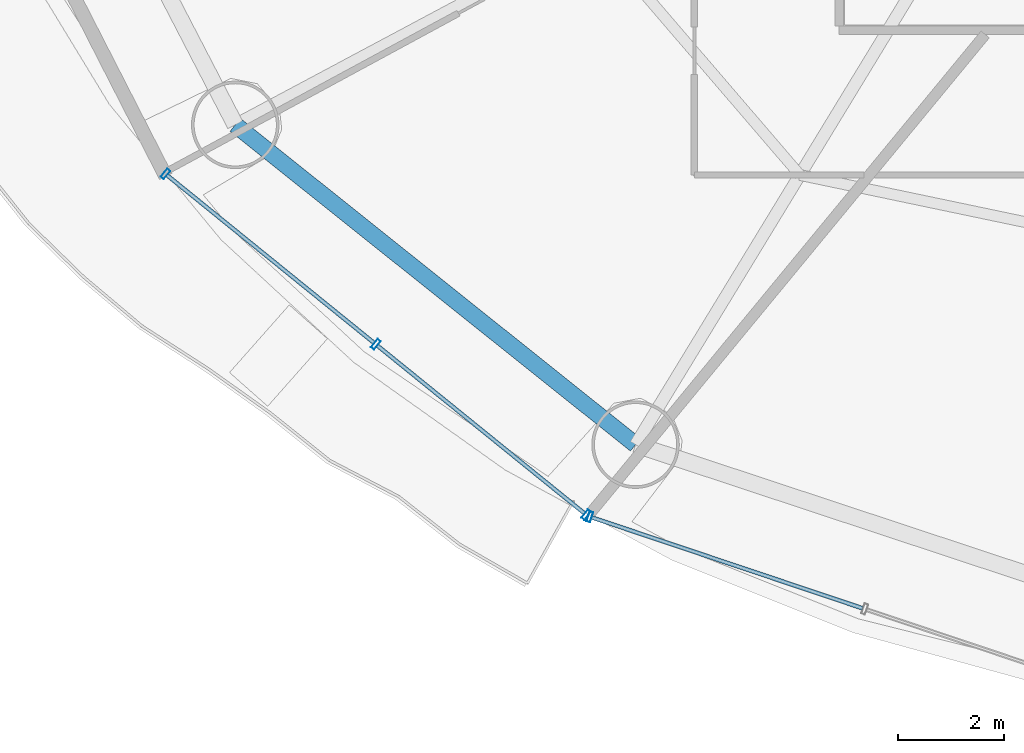
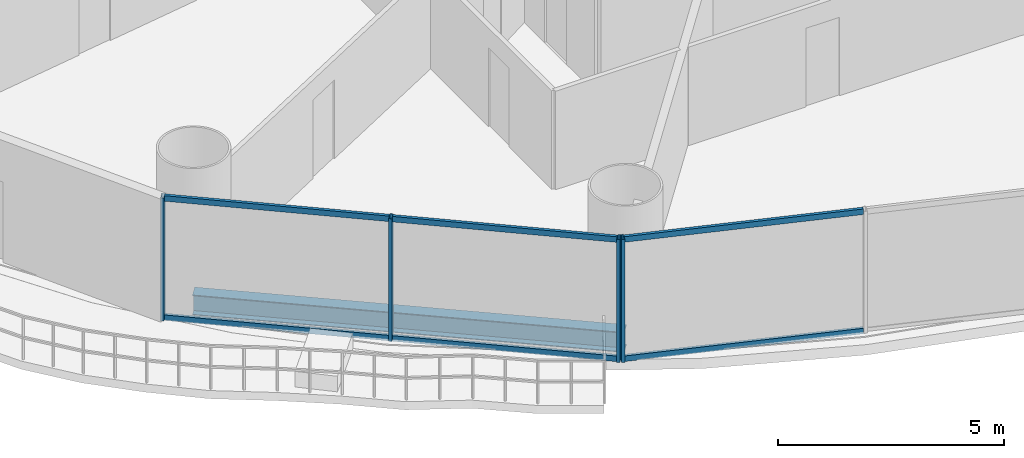
# One storey, part 2 of 28: 10 members, 1 beam, 2 elements without a shape of their own.
"""IFC4 building model written with IfcOpenShell, lengths in metres."""

from ifc_helpers import new_model, si_unit, direction, frame, origin, origin_2d, place, context, subcontext, project, spatial, hollow_rectangle, i_section, extrude, source, transform, mapped, material, material_profile, profile_set, type_object, element, aggregate, save


model = new_model("IFC4")

# Units and contexts
model_context = context("Model", 3, precision=1e-05, world=origin(), true_north=direction((-0.2419218956, 0.970295726276)))
body_context = subcontext(model_context, "Body", "Model", "MODEL_VIEW")
ifc_project = project(units=[si_unit("LENGTHUNIT", "METRE"), si_unit("AREAUNIT", "SQUARE_METRE"), si_unit("VOLUMEUNIT", "CUBIC_METRE"), si_unit("PLANEANGLEUNIT", "RADIAN"), si_unit("MASSUNIT", "GRAM", prefix="KILO")], contexts=[model_context])

# Site, building, storey
site_placement = place(None, origin())
site = spatial("IfcSite", under=ifc_project, at=site_placement, CompositionType="ELEMENT")
building_placement = place(site_placement, origin())
building = spatial("IfcBuilding", under=site, at=building_placement, Name="Cobrevalo Terracotta Tower", CompositionType="ELEMENT")
storey_placement = place(building_placement, frame((0.0, 0.0, 38.39990234375)))
storey = spatial("IfcBuildingStorey", under=building, at=storey_placement, Name="L09", CompositionType="ELEMENT", Elevation=38.39990234375)

# Beam
ifc_material_1 = material(Name="Steel S355", Category="steel")
ifc_material_profile_1 = material_profile(ifc_material_1, i_section(OverallWidth=0.31201171875, OverallDepth=0.54296875, WebThickness=0.0126953125, FlangeThickness=0.020263671875, at=origin_2d()), Name="W 530x150")
ifc_profile_set_1 = profile_set([ifc_material_profile_1], Name="Steel S355")
beam_type = type_object("IfcBeamType", Name="Structural Spandrel W 530x150 (Steel S355)", PredefinedType="SPANDREL", material=ifc_profile_set_1)
beam_placement = place(storey_placement, frame((15.25927734375, 14.660888671875, -0.551513671875), z_axis=(0.781280479891, -0.62418011162, 0.0), x_axis=(0.62418011162, 0.781280479891, 0.0)))
element("IfcBeam", 1, at=beam_placement, inside=storey, type_object=beam_type, Name="L09 perimeter ring spandrel 10", PredefinedType="SPANDREL", context=body_context, shape_type="SweptSolid", body=[
    extrude(i_section(OverallWidth=0.31201171875, OverallDepth=0.54296875, WebThickness=0.0126953125, FlangeThickness=0.020263671875, at=origin_2d()), origin(), (0.0, 0.0, 1.0), 9.658447265625),
])

# Curtain wall, members
ifc_material_2 = material(Name="Anodized aluminium", Category="aluminium")
curtain_wall_type = type_object("IfcCurtainWallType", Name="Lower-tower unitised acoustic low-E curtain wall CW-U1", PredefinedType="NOTDEFINED", material=ifc_material_2)
curtain_wall_1_placement = place(storey_placement, origin())
curtain_wall_1 = element("IfcCurtainWall", 2, at=curtain_wall_1_placement, inside=storey, type_object=curtain_wall_type, Name="L09 curtain wall CW-L09-S10", PredefinedType="NOTDEFINED")
ifc_material_profile_2 = material_profile(ifc_material_2, hollow_rectangle(XDim=0.074951171875, YDim=0.199951171875, WallThickness=0.0048828125, at=origin_2d()), Name="CWM 75x200")
ifc_profile_set_2 = profile_set([ifc_material_profile_2], Name="Anodized aluminium")
member_type_1 = type_object("IfcMemberType", Name="Lower/mid tower unitised mullion 75x200", PredefinedType="MULLION", material=ifc_profile_set_2)
shared_shape_1 = source(origin(), body_context, "Body", "SweptSolid", [
    extrude(hollow_rectangle(XDim=0.074951171875, YDim=0.199951171875, WallThickness=0.0048828125, at=origin_2d()), origin(), (0.0, 0.0, 1.0), 3.320068359375),
])
member_1_placement = place(storey_placement, frame((13.943359375, 13.735595703125, 0.0), z_axis=(0.0, 0.0, 1.0), x_axis=(0.777003153187, -0.629496703675, 0.0)))
member_1 = element("IfcMember", 3, at=member_1_placement, type_object=member_type_1, Name="CW-L09-S10 vertical mullion 01", PredefinedType="MULLION", context=body_context, shape_type="MappedRepresentation", body=[
    mapped(shared_shape_1, transform((0.0, 0.0, 0.0), scale=1.0)),
])
member_2_placement = place(storey_placement, frame((17.90869140625, 10.523193359375, 0.0), z_axis=(0.0, 0.0, 1.0), x_axis=(0.777003153187, -0.629496703675, 0.0)))
member_2 = element("IfcMember", 4, at=member_2_placement, type_object=member_type_1, Name="CW-L09-S10 vertical mullion 02", PredefinedType="MULLION", context=body_context, shape_type="MappedRepresentation", body=[
    mapped(shared_shape_1, transform((0.0, 0.0, 0.0), scale=1.0)),
])
member_3_placement = place(storey_placement, frame((21.8740234375, 7.310546875, 0.0), z_axis=(0.0, 0.0, 1.0), x_axis=(0.777003153187, -0.629496703675, 0.0)))
member_3 = element("IfcMember", 5, at=member_3_placement, type_object=member_type_1, Name="CW-L09-S10 vertical mullion 03", PredefinedType="MULLION", context=body_context, shape_type="MappedRepresentation", body=[
    mapped(shared_shape_1, transform((0.0, 0.0, 0.0), scale=1.0)),
])

# Curtain wall, member
curtain_wall_2_placement = place(storey_placement, origin())
curtain_wall_2 = element("IfcCurtainWall", 6, at=curtain_wall_2_placement, inside=storey, type_object=curtain_wall_type, Name="L09 curtain wall CW-L09-S11", PredefinedType="NOTDEFINED")
member_4_placement = place(storey_placement, frame((21.943115234375, 7.272705078125, 0.0), z_axis=(0.0, 0.0, 1.0), x_axis=(0.948046393597, -0.318132103987, 0.0)))
member_4 = element("IfcMember", 7, at=member_4_placement, type_object=member_type_1, Name="CW-L09-S11 vertical mullion 01", PredefinedType="MULLION", context=body_context, shape_type="MappedRepresentation", body=[
    mapped(shared_shape_1, transform((0.0, 0.0, 0.0), scale=1.0)),
])

# Member
ifc_material_profile_3 = material_profile(ifc_material_2, hollow_rectangle(XDim=0.074951171875, YDim=0.14990234375, WallThickness=0.00439453125, at=origin_2d()), Name="CWT 75x150")
ifc_profile_set_3 = profile_set([ifc_material_profile_3], Name="Anodized aluminium")
member_type_2 = type_object("IfcMemberType", Name="Tower unitised aluminium transom 75x150", PredefinedType="USERDEFINED", material=ifc_profile_set_3)
shared_shape_2 = source(origin(), body_context, "Body", "SweptSolid", [
    extrude(hollow_rectangle(XDim=0.074951171875, YDim=0.14990234375, WallThickness=0.00439453125, at=origin_2d()), origin(), (0.0, 0.0, 1.0), 5.0234375),
])
member_5_placement = place(storey_placement, frame((13.974365234375, 13.71044921875, 0.050048828125), z_axis=(0.777022991593, -0.629472215857, 0.0), x_axis=(0.629472215857, 0.777022991593, 0.0)))
member_5 = element("IfcMember", 8, at=member_5_placement, type_object=member_type_2, Name="CW-L09-S10 transom B01-T1", ObjectType="TRANSOM", PredefinedType="USERDEFINED", context=body_context, shape_type="MappedRepresentation", body=[
    mapped(shared_shape_2, transform((0.0, 0.0, 0.0), scale=1.0)),
])

member_6_placement = place(storey_placement, frame((13.974365234375, 13.71044921875, 3.27001953125), z_axis=(0.777022991593, -0.629472215857, 0.0), x_axis=(0.629472215857, 0.777022991593, 0.0)))
member_6 = element("IfcMember", 9, at=member_6_placement, type_object=member_type_2, Name="CW-L09-S10 transom B01-T2", ObjectType="TRANSOM", PredefinedType="USERDEFINED", context=body_context, shape_type="MappedRepresentation", body=[
    mapped(shared_shape_2, transform((0.0, 0.0, 0.0), scale=1.0)),
])

member_7_placement = place(storey_placement, frame((17.939697265625, 10.497802734375, 0.050048828125), z_axis=(0.777022991593, -0.629472215857, 0.0), x_axis=(0.629472215857, 0.777022991593, 0.0)))
member_7 = element("IfcMember", 10, at=member_7_placement, type_object=member_type_2, Name="CW-L09-S10 transom B02-T1", ObjectType="TRANSOM", PredefinedType="USERDEFINED", context=body_context, shape_type="MappedRepresentation", body=[
    mapped(shared_shape_2, transform((0.0, 0.0, 0.0), scale=1.0)),
])

member_8_placement = place(storey_placement, frame((17.939697265625, 10.497802734375, 3.27001953125), z_axis=(0.777022991593, -0.629472215857, 0.0), x_axis=(0.629472215857, 0.777022991593, 0.0)))
member_8 = element("IfcMember", 11, at=member_8_placement, type_object=member_type_2, Name="CW-L09-S10 transom B02-T2", ObjectType="TRANSOM", PredefinedType="USERDEFINED", context=body_context, shape_type="MappedRepresentation", body=[
    mapped(shared_shape_2, transform((0.0, 0.0, 0.0), scale=1.0)),
])

aggregate(curtain_wall_1, [member_1, member_2, member_3, member_5, member_6, member_7, member_8])

shared_shape_3 = source(origin(), body_context, "Body", "SweptSolid", [
    extrude(hollow_rectangle(XDim=0.074951171875, YDim=0.14990234375, WallThickness=0.00439453125, at=origin_2d()), origin(), (0.0, 0.0, 1.0), 5.387939453125),
])
member_9_placement = place(storey_placement, frame((21.98095703125, 7.260009765625, 0.050048828125), z_axis=(0.94804244582, -0.318143868278, 0.0), x_axis=(0.318143868278, 0.94804244582, 0.0)))
member_9 = element("IfcMember", 12, at=member_9_placement, type_object=member_type_2, Name="CW-L09-S11 transom B01-T1", ObjectType="TRANSOM", PredefinedType="USERDEFINED", context=body_context, shape_type="MappedRepresentation", body=[
    mapped(shared_shape_3, transform((0.0, 0.0, 0.0), scale=1.0)),
])

member_10_placement = place(storey_placement, frame((21.98095703125, 7.260009765625, 3.27001953125), z_axis=(0.94804244582, -0.318143868278, 0.0), x_axis=(0.318143868278, 0.94804244582, 0.0)))
member_10 = element("IfcMember", 13, at=member_10_placement, type_object=member_type_2, Name="CW-L09-S11 transom B01-T2", ObjectType="TRANSOM", PredefinedType="USERDEFINED", context=body_context, shape_type="MappedRepresentation", body=[
    mapped(shared_shape_3, transform((0.0, 0.0, 0.0), scale=1.0)),
])

aggregate(curtain_wall_2, [member_4, member_9, member_10])

save(model, "model.ifc")
